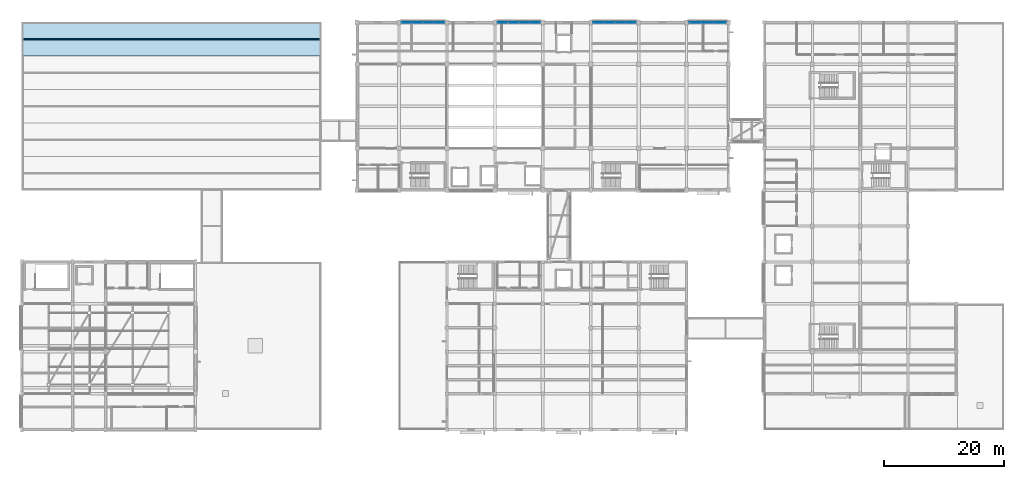
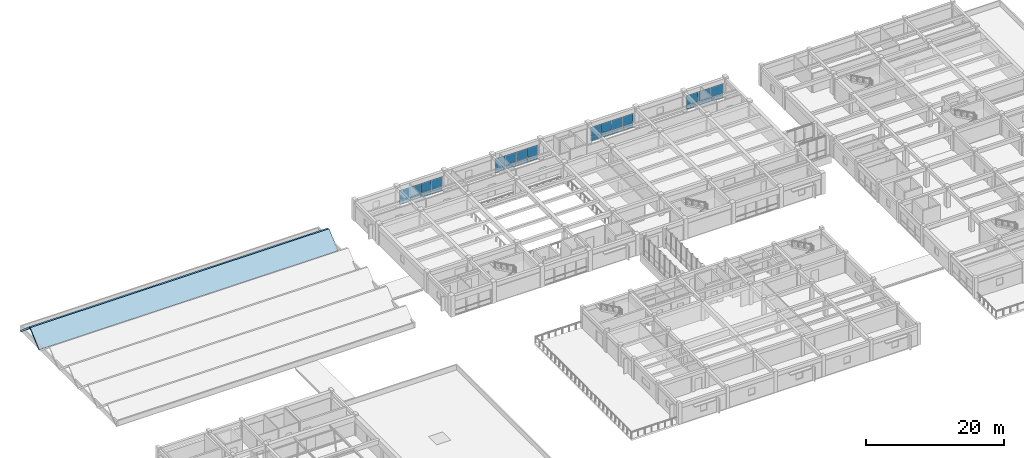
# One storey, part 21 of 42: 30 plates, 2 slabs, 4 elements without a shape of their own.
"""IFC4 building model written with IfcOpenShell, lengths in metres."""

from ifc_helpers import new_model, si_unit, direction, frame, origin, origin_2d, place, context, subcontext, project, spatial, polyline, rectangle, outline, extrude, material, layer, layer_set, type_object, element, aggregate, save


model = new_model("IFC4")

# Units and contexts
model_context = context("Model", 3, precision=1e-05, world=origin(), true_north=direction((0.0, 1.0)))
body_context = subcontext(model_context, "Body", "Model", "MODEL_VIEW")
ifc_project = project(units=[si_unit("LENGTHUNIT", "METRE"), si_unit("AREAUNIT", "SQUARE_METRE"), si_unit("VOLUMEUNIT", "CUBIC_METRE"), si_unit("PLANEANGLEUNIT", "RADIAN"), si_unit("MASSUNIT", "GRAM", prefix="KILO")], contexts=[model_context])

# Site, building, storey
site_placement = place(None, origin())
site = spatial("IfcSite", under=ifc_project, at=site_placement, CompositionType="ELEMENT")
building_placement = place(site_placement, origin())
building = spatial("IfcBuilding", under=site, at=building_placement, Name="Naurynzar Civic Courthouse", CompositionType="ELEMENT")
storey_placement = place(building_placement, frame((0.0, 0.0, 18.300048828125)))
storey = spatial("IfcBuildingStorey", under=building, at=storey_placement, Name="L05", CompositionType="ELEMENT", Elevation=18.300048828125)

# Curtain wall, plates
ifc_material_1 = material(Name="Aluminium 6063-T6", Category="aluminium")
ifc_layer_1 = layer(ifc_material_1, 0.159912109375)
ifc_layer_set_1 = layer_set([ifc_layer_1], Name="CW-UNIT-1800")
curtain_wall_type = type_object("IfcCurtainWallType", Name="CW-UNIT-1800", PredefinedType="NOTDEFINED", material=ifc_layer_set_1)
curtain_wall_1_placement = place(storey_placement, origin())
curtain_wall_1 = element("IfcCurtainWall", 1, at=curtain_wall_1_placement, inside=storey, type_object=curtain_wall_type, Name="V2 unitised curtain wall 36 L05", PredefinedType="NOTDEFINED")
ifc_material_2 = material(Name="Tempered Laminated Low-E Glass", Category="glass")
ifc_layer_2 = layer(ifc_material_2, 0.035888671875)
ifc_layer_set_2 = layer_set([ifc_layer_2], Name="CWP-IGU-36")
plate_type = type_object("IfcPlateType", Name="CWP-IGU-36", PredefinedType="CURTAIN_PANEL", material=ifc_layer_set_2)
plate_1_placement = place(storey_placement, frame((70.298828125, 72.0, 0.06982421875), z_axis=(0.0, 0.0, 1.0), x_axis=(1.0, 0.0, 0.0)))
plate_1 = element("IfcPlate", 2, at=plate_1_placement, type_object=plate_type, Name="CW-02 panel 1.1", PredefinedType="CURTAIN_PANEL", context=body_context, shape_type="SweptSolid", body=[
    extrude(rectangle(XDim=1.70751953125, YDim=0.035888671875, at=origin_2d()), origin(), (0.0, 0.0, 1.0), 0.7451171875),
])
plate_2_placement = place(storey_placement, frame((70.298828125, 72.0, 0.885009765625), z_axis=(0.0, 0.0, 1.0), x_axis=(1.0, 0.0, 0.0)))
plate_2 = element("IfcPlate", 3, at=plate_2_placement, type_object=plate_type, Name="CW-02 panel 1.2", PredefinedType="CURTAIN_PANEL", context=body_context, shape_type="SweptSolid", body=[
    extrude(rectangle(XDim=1.70751953125, YDim=0.035888671875, at=origin_2d()), origin(), (0.0, 0.0, 1.0), 1.64501953125),
])
plate_3_placement = place(storey_placement, frame((72.09375, 72.0, 0.06982421875), z_axis=(0.0, 0.0, 1.0), x_axis=(1.0, 0.0, 0.0)))
plate_3 = element("IfcPlate", 4, at=plate_3_placement, type_object=plate_type, Name="CW-02 panel 2.1", PredefinedType="CURTAIN_PANEL", context=body_context, shape_type="SweptSolid", body=[
    extrude(rectangle(XDim=1.742431640625, YDim=0.035888671875, at=origin_2d()), origin(), (0.0, 0.0, 1.0), 0.7451171875),
])
plate_4_placement = place(storey_placement, frame((72.09375, 72.0, 0.885009765625), z_axis=(0.0, 0.0, 1.0), x_axis=(1.0, 0.0, 0.0)))
plate_4 = element("IfcPlate", 5, at=plate_4_placement, type_object=plate_type, Name="CW-02 panel 2.2", PredefinedType="CURTAIN_PANEL", context=body_context, shape_type="SweptSolid", body=[
    extrude(rectangle(XDim=1.742431640625, YDim=0.035888671875, at=origin_2d()), origin(), (0.0, 0.0, 1.0), 1.64501953125),
])
plate_5_placement = place(storey_placement, frame((73.90625, 72.0, 0.06982421875), z_axis=(0.0, 0.0, 1.0), x_axis=(1.0, 0.0, 0.0)))
plate_5 = element("IfcPlate", 6, at=plate_5_placement, type_object=plate_type, Name="CW-02 panel 3.1", PredefinedType="CURTAIN_PANEL", context=body_context, shape_type="SweptSolid", body=[
    extrude(rectangle(XDim=1.742431640625, YDim=0.035888671875, at=origin_2d()), origin(), (0.0, 0.0, 1.0), 0.7451171875),
])
plate_6_placement = place(storey_placement, frame((73.90625, 72.0, 0.885009765625), z_axis=(0.0, 0.0, 1.0), x_axis=(1.0, 0.0, 0.0)))
plate_6 = element("IfcPlate", 7, at=plate_6_placement, type_object=plate_type, Name="CW-02 panel 3.2", PredefinedType="CURTAIN_PANEL", context=body_context, shape_type="SweptSolid", body=[
    extrude(rectangle(XDim=1.742431640625, YDim=0.035888671875, at=origin_2d()), origin(), (0.0, 0.0, 1.0), 1.64501953125),
])
plate_7_placement = place(storey_placement, frame((75.701171875, 72.0, 0.06982421875), z_axis=(0.0, 0.0, 1.0), x_axis=(1.0, 0.0, 0.0)))
plate_7 = element("IfcPlate", 8, at=plate_7_placement, type_object=plate_type, Name="CW-02 panel 4.1", PredefinedType="CURTAIN_PANEL", context=body_context, shape_type="SweptSolid", body=[
    extrude(rectangle(XDim=1.70751953125, YDim=0.035888671875, at=origin_2d()), origin(), (0.0, 0.0, 1.0), 0.7451171875),
])
plate_8_placement = place(storey_placement, frame((75.701171875, 72.0, 0.885009765625), z_axis=(0.0, 0.0, 1.0), x_axis=(1.0, 0.0, 0.0)))
plate_8 = element("IfcPlate", 9, at=plate_8_placement, type_object=plate_type, Name="CW-02 panel 4.2", PredefinedType="CURTAIN_PANEL", context=body_context, shape_type="SweptSolid", body=[
    extrude(rectangle(XDim=1.70751953125, YDim=0.035888671875, at=origin_2d()), origin(), (0.0, 0.0, 1.0), 1.64501953125),
])
aggregate(curtain_wall_1, [plate_1, plate_2, plate_3, plate_4, plate_5, plate_6, plate_7, plate_8])

curtain_wall_2_placement = place(storey_placement, origin())
curtain_wall_2 = element("IfcCurtainWall", 10, at=curtain_wall_2_placement, inside=storey, type_object=curtain_wall_type, Name="V2 unitised curtain wall 37 L05", PredefinedType="NOTDEFINED")
plate_9_placement = place(storey_placement, frame((86.298828125, 72.0, 0.06982421875), z_axis=(0.0, 0.0, 1.0), x_axis=(1.0, 0.0, 0.0)))
plate_9 = element("IfcPlate", 11, at=plate_9_placement, type_object=plate_type, Name="CW-02 panel 1.1", PredefinedType="CURTAIN_PANEL", context=body_context, shape_type="SweptSolid", body=[
    extrude(rectangle(XDim=1.70751953125, YDim=0.035888671875, at=origin_2d()), origin(), (0.0, 0.0, 1.0), 0.7451171875),
])
plate_10_placement = place(storey_placement, frame((86.298828125, 72.0, 0.885009765625), z_axis=(0.0, 0.0, 1.0), x_axis=(1.0, 0.0, 0.0)))
plate_10 = element("IfcPlate", 12, at=plate_10_placement, type_object=plate_type, Name="CW-02 panel 1.2", PredefinedType="CURTAIN_PANEL", context=body_context, shape_type="SweptSolid", body=[
    extrude(rectangle(XDim=1.70751953125, YDim=0.035888671875, at=origin_2d()), origin(), (0.0, 0.0, 1.0), 1.64501953125),
])
plate_11_placement = place(storey_placement, frame((88.09375, 72.0, 0.06982421875), z_axis=(0.0, 0.0, 1.0), x_axis=(1.0, 0.0, 0.0)))
plate_11 = element("IfcPlate", 13, at=plate_11_placement, type_object=plate_type, Name="CW-02 panel 2.1", PredefinedType="CURTAIN_PANEL", context=body_context, shape_type="SweptSolid", body=[
    extrude(rectangle(XDim=1.742431640625, YDim=0.035888671875, at=origin_2d()), origin(), (0.0, 0.0, 1.0), 0.7451171875),
])
plate_12_placement = place(storey_placement, frame((88.09375, 72.0, 0.885009765625), z_axis=(0.0, 0.0, 1.0), x_axis=(1.0, 0.0, 0.0)))
plate_12 = element("IfcPlate", 14, at=plate_12_placement, type_object=plate_type, Name="CW-02 panel 2.2", PredefinedType="CURTAIN_PANEL", context=body_context, shape_type="SweptSolid", body=[
    extrude(rectangle(XDim=1.742431640625, YDim=0.035888671875, at=origin_2d()), origin(), (0.0, 0.0, 1.0), 1.64501953125),
])
plate_13_placement = place(storey_placement, frame((89.90625, 72.0, 0.06982421875), z_axis=(0.0, 0.0, 1.0), x_axis=(1.0, 0.0, 0.0)))
plate_13 = element("IfcPlate", 15, at=plate_13_placement, type_object=plate_type, Name="CW-02 panel 3.1", PredefinedType="CURTAIN_PANEL", context=body_context, shape_type="SweptSolid", body=[
    extrude(rectangle(XDim=1.742431640625, YDim=0.035888671875, at=origin_2d()), origin(), (0.0, 0.0, 1.0), 0.7451171875),
])
plate_14_placement = place(storey_placement, frame((89.90625, 72.0, 0.885009765625), z_axis=(0.0, 0.0, 1.0), x_axis=(1.0, 0.0, 0.0)))
plate_14 = element("IfcPlate", 16, at=plate_14_placement, type_object=plate_type, Name="CW-02 panel 3.2", PredefinedType="CURTAIN_PANEL", context=body_context, shape_type="SweptSolid", body=[
    extrude(rectangle(XDim=1.742431640625, YDim=0.035888671875, at=origin_2d()), origin(), (0.0, 0.0, 1.0), 1.64501953125),
])
plate_15_placement = place(storey_placement, frame((91.701171875, 72.0, 0.06982421875), z_axis=(0.0, 0.0, 1.0), x_axis=(1.0, 0.0, 0.0)))
plate_15 = element("IfcPlate", 17, at=plate_15_placement, type_object=plate_type, Name="CW-02 panel 4.1", PredefinedType="CURTAIN_PANEL", context=body_context, shape_type="SweptSolid", body=[
    extrude(rectangle(XDim=1.70751953125, YDim=0.035888671875, at=origin_2d()), origin(), (0.0, 0.0, 1.0), 0.7451171875),
])
plate_16_placement = place(storey_placement, frame((91.701171875, 72.0, 0.885009765625), z_axis=(0.0, 0.0, 1.0), x_axis=(1.0, 0.0, 0.0)))
plate_16 = element("IfcPlate", 18, at=plate_16_placement, type_object=plate_type, Name="CW-02 panel 4.2", PredefinedType="CURTAIN_PANEL", context=body_context, shape_type="SweptSolid", body=[
    extrude(rectangle(XDim=1.70751953125, YDim=0.035888671875, at=origin_2d()), origin(), (0.0, 0.0, 1.0), 1.64501953125),
])
aggregate(curtain_wall_2, [plate_9, plate_10, plate_11, plate_12, plate_13, plate_14, plate_15, plate_16])

curtain_wall_3_placement = place(storey_placement, origin())
curtain_wall_3 = element("IfcCurtainWall", 19, at=curtain_wall_3_placement, inside=storey, type_object=curtain_wall_type, Name="V2 unitised curtain wall 38 L05", PredefinedType="NOTDEFINED")
plate_17_placement = place(storey_placement, frame((102.298828125, 72.0, 0.06982421875), z_axis=(0.0, 0.0, 1.0), x_axis=(1.0, 0.0, 0.0)))
plate_17 = element("IfcPlate", 20, at=plate_17_placement, type_object=plate_type, Name="CW-02 panel 1.1", PredefinedType="CURTAIN_PANEL", context=body_context, shape_type="SweptSolid", body=[
    extrude(rectangle(XDim=1.70751953125, YDim=0.035888671875, at=origin_2d()), origin(), (0.0, 0.0, 1.0), 0.7451171875),
])
plate_18_placement = place(storey_placement, frame((102.298828125, 72.0, 0.885009765625), z_axis=(0.0, 0.0, 1.0), x_axis=(1.0, 0.0, 0.0)))
plate_18 = element("IfcPlate", 21, at=plate_18_placement, type_object=plate_type, Name="CW-02 panel 1.2", PredefinedType="CURTAIN_PANEL", context=body_context, shape_type="SweptSolid", body=[
    extrude(rectangle(XDim=1.70751953125, YDim=0.035888671875, at=origin_2d()), origin(), (0.0, 0.0, 1.0), 1.64501953125),
])
plate_19_placement = place(storey_placement, frame((104.09375, 72.0, 0.06982421875), z_axis=(0.0, 0.0, 1.0), x_axis=(1.0, 0.0, 0.0)))
plate_19 = element("IfcPlate", 22, at=plate_19_placement, type_object=plate_type, Name="CW-02 panel 2.1", PredefinedType="CURTAIN_PANEL", context=body_context, shape_type="SweptSolid", body=[
    extrude(rectangle(XDim=1.742431640625, YDim=0.035888671875, at=origin_2d()), origin(), (0.0, 0.0, 1.0), 0.7451171875),
])
plate_20_placement = place(storey_placement, frame((104.09375, 72.0, 0.885009765625), z_axis=(0.0, 0.0, 1.0), x_axis=(1.0, 0.0, 0.0)))
plate_20 = element("IfcPlate", 23, at=plate_20_placement, type_object=plate_type, Name="CW-02 panel 2.2", PredefinedType="CURTAIN_PANEL", context=body_context, shape_type="SweptSolid", body=[
    extrude(rectangle(XDim=1.742431640625, YDim=0.035888671875, at=origin_2d()), origin(), (0.0, 0.0, 1.0), 1.64501953125),
])
plate_21_placement = place(storey_placement, frame((105.90625, 72.0, 0.06982421875), z_axis=(0.0, 0.0, 1.0), x_axis=(1.0, 0.0, 0.0)))
plate_21 = element("IfcPlate", 24, at=plate_21_placement, type_object=plate_type, Name="CW-02 panel 3.1", PredefinedType="CURTAIN_PANEL", context=body_context, shape_type="SweptSolid", body=[
    extrude(rectangle(XDim=1.742431640625, YDim=0.035888671875, at=origin_2d()), origin(), (0.0, 0.0, 1.0), 0.7451171875),
])
plate_22_placement = place(storey_placement, frame((105.90625, 72.0, 0.885009765625), z_axis=(0.0, 0.0, 1.0), x_axis=(1.0, 0.0, 0.0)))
plate_22 = element("IfcPlate", 25, at=plate_22_placement, type_object=plate_type, Name="CW-02 panel 3.2", PredefinedType="CURTAIN_PANEL", context=body_context, shape_type="SweptSolid", body=[
    extrude(rectangle(XDim=1.742431640625, YDim=0.035888671875, at=origin_2d()), origin(), (0.0, 0.0, 1.0), 1.64501953125),
])
plate_23_placement = place(storey_placement, frame((107.701171875, 72.0, 0.06982421875), z_axis=(0.0, 0.0, 1.0), x_axis=(1.0, 0.0, 0.0)))
plate_23 = element("IfcPlate", 26, at=plate_23_placement, type_object=plate_type, Name="CW-02 panel 4.1", PredefinedType="CURTAIN_PANEL", context=body_context, shape_type="SweptSolid", body=[
    extrude(rectangle(XDim=1.70751953125, YDim=0.035888671875, at=origin_2d()), origin(), (0.0, 0.0, 1.0), 0.7451171875),
])
plate_24_placement = place(storey_placement, frame((107.701171875, 72.0, 0.885009765625), z_axis=(0.0, 0.0, 1.0), x_axis=(1.0, 0.0, 0.0)))
plate_24 = element("IfcPlate", 27, at=plate_24_placement, type_object=plate_type, Name="CW-02 panel 4.2", PredefinedType="CURTAIN_PANEL", context=body_context, shape_type="SweptSolid", body=[
    extrude(rectangle(XDim=1.70751953125, YDim=0.035888671875, at=origin_2d()), origin(), (0.0, 0.0, 1.0), 1.64501953125),
])
aggregate(curtain_wall_3, [plate_17, plate_18, plate_19, plate_20, plate_21, plate_22, plate_23, plate_24])

curtain_wall_4_placement = place(storey_placement, origin())
curtain_wall_4 = element("IfcCurtainWall", 28, at=curtain_wall_4_placement, inside=storey, type_object=curtain_wall_type, Name="V2 unitised curtain wall 39 L05", PredefinedType="NOTDEFINED")
plate_25_placement = place(storey_placement, frame((118.43408203125, 72.0, 0.06982421875), z_axis=(0.0, 0.0, 1.0), x_axis=(1.0, 0.0, 0.0)))
plate_25 = element("IfcPlate", 29, at=plate_25_placement, type_object=plate_type, Name="CW-02 panel 1.1", PredefinedType="CURTAIN_PANEL", context=body_context, shape_type="SweptSolid", body=[
    extrude(rectangle(XDim=1.978271484375, YDim=0.035888671875, at=origin_2d()), origin(), (0.0, 0.0, 1.0), 0.7451171875),
])
plate_26_placement = place(storey_placement, frame((118.43408203125, 72.0, 0.885009765625), z_axis=(0.0, 0.0, 1.0), x_axis=(1.0, 0.0, 0.0)))
plate_26 = element("IfcPlate", 30, at=plate_26_placement, type_object=plate_type, Name="CW-02 panel 1.2", PredefinedType="CURTAIN_PANEL", context=body_context, shape_type="SweptSolid", body=[
    extrude(rectangle(XDim=1.978271484375, YDim=0.035888671875, at=origin_2d()), origin(), (0.0, 0.0, 1.0), 1.64501953125),
])
plate_27_placement = place(storey_placement, frame((120.5, 72.0, 0.06982421875), z_axis=(0.0, 0.0, 1.0), x_axis=(1.0, 0.0, 0.0)))
plate_27 = element("IfcPlate", 31, at=plate_27_placement, type_object=plate_type, Name="CW-02 panel 2.1", PredefinedType="CURTAIN_PANEL", context=body_context, shape_type="SweptSolid", body=[
    extrude(rectangle(XDim=2.013427734375, YDim=0.035888671875, at=origin_2d()), origin(), (0.0, 0.0, 1.0), 0.7451171875),
])
plate_28_placement = place(storey_placement, frame((120.5, 72.0, 0.885009765625), z_axis=(0.0, 0.0, 1.0), x_axis=(1.0, 0.0, 0.0)))
plate_28 = element("IfcPlate", 32, at=plate_28_placement, type_object=plate_type, Name="CW-02 panel 2.2", PredefinedType="CURTAIN_PANEL", context=body_context, shape_type="SweptSolid", body=[
    extrude(rectangle(XDim=2.013427734375, YDim=0.035888671875, at=origin_2d()), origin(), (0.0, 0.0, 1.0), 1.64501953125),
])
plate_29_placement = place(storey_placement, frame((122.56591796875, 72.0, 0.06982421875), z_axis=(0.0, 0.0, 1.0), x_axis=(1.0, 0.0, 0.0)))
plate_29 = element("IfcPlate", 33, at=plate_29_placement, type_object=plate_type, Name="CW-02 panel 3.1", PredefinedType="CURTAIN_PANEL", context=body_context, shape_type="SweptSolid", body=[
    extrude(rectangle(XDim=1.978271484375, YDim=0.035888671875, at=origin_2d()), origin(), (0.0, 0.0, 1.0), 0.7451171875),
])
plate_30_placement = place(storey_placement, frame((122.56591796875, 72.0, 0.885009765625), z_axis=(0.0, 0.0, 1.0), x_axis=(1.0, 0.0, 0.0)))
plate_30 = element("IfcPlate", 34, at=plate_30_placement, type_object=plate_type, Name="CW-02 panel 3.2", PredefinedType="CURTAIN_PANEL", context=body_context, shape_type="SweptSolid", body=[
    extrude(rectangle(XDim=1.978271484375, YDim=0.035888671875, at=origin_2d()), origin(), (0.0, 0.0, 1.0), 1.64501953125),
])
aggregate(curtain_wall_4, [plate_25, plate_26, plate_27, plate_28, plate_29, plate_30])

# Slabs
ifc_material_3 = material(Name="Concrete C40/50", Category="concrete")
ifc_layer_3 = layer(ifc_material_3, 0.260009765625)
ifc_layer_set_3 = layer_set([ifc_layer_3], Name="ROOF-FOLD-260")
slab_type = type_object("IfcSlabType", Name="ROOF-FOLD-260", PredefinedType="ROOF", material=ifc_layer_set_3)
slab_1_placement = place(storey_placement, frame((6.0, 66.39990234375, 0.0), z_axis=(0.0, -0.650774157366, 0.759271358675), x_axis=(1.0, 0.0, 0.0)))
element("IfcSlab", 35, at=slab_1_placement, inside=storey, type_object=slab_type, Name="V1 Ceremonial Court signature folded-plate roof facet 9", PredefinedType="ROOF", context=body_context, shape_type="SweptSolid", body=[
    extrude(outline(polyline([(0.0, 0.0), (50.0, 0.0), (50.0, 3.5035645946696015), (0.0, 3.5035645946696015), (0.0, 0.0)])), origin(), (0.0, 0.0, -1.0), 0.260009765625),
])
slab_2_placement = place(storey_placement, frame((6.0, 69.340087890625, 2.280029296875), z_axis=(0.0, 0.650808590122, 0.759241844885), x_axis=(1.0, 0.0, 0.0)))
element("IfcSlab", 36, at=slab_2_placement, inside=storey, type_object=slab_type, Name="V1 Ceremonial Court signature folded-plate roof facet 10", PredefinedType="ROOF", context=body_context, shape_type="SweptSolid", body=[
    extrude(outline(polyline([(0.0, 0.0), (50.0, 0.0), (50.0, 3.503379229288212), (0.0, 3.503379229288212), (0.0, 0.0)])), origin(), (0.0, 0.0, -1.0), 0.260009765625),
])

save(model, "model.ifc")
